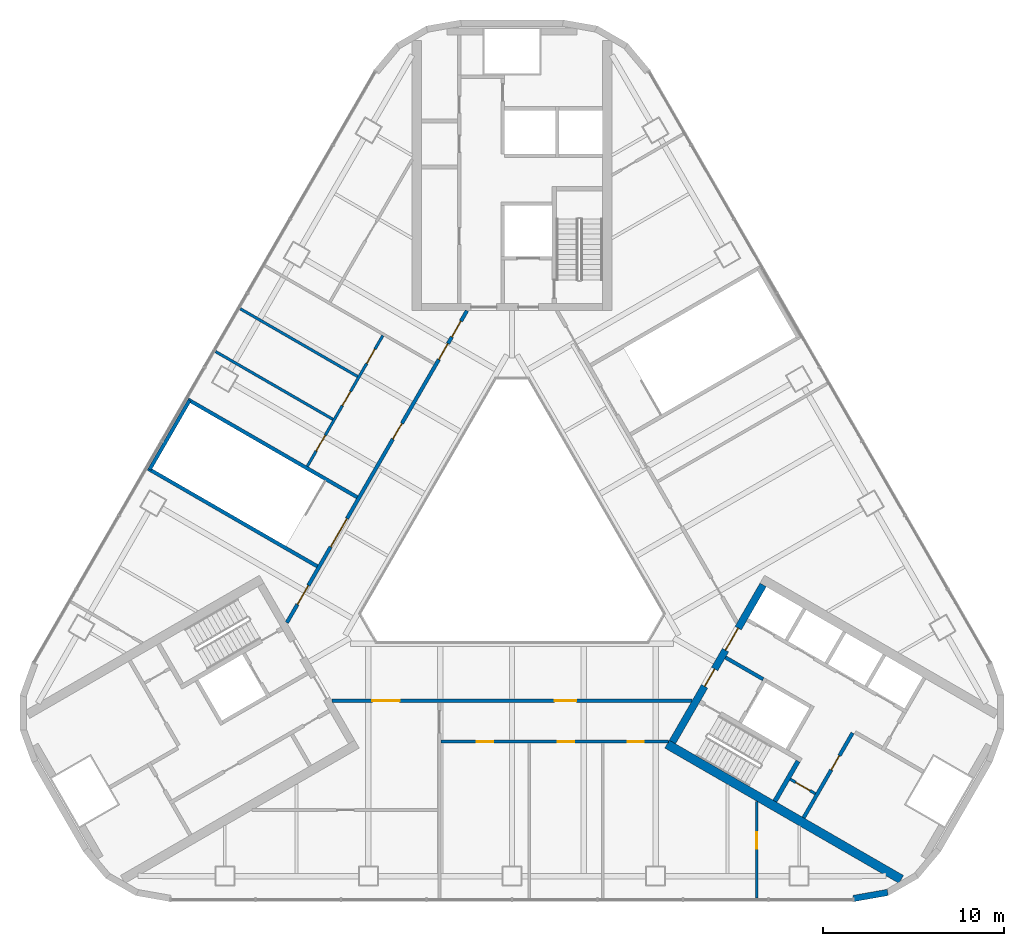
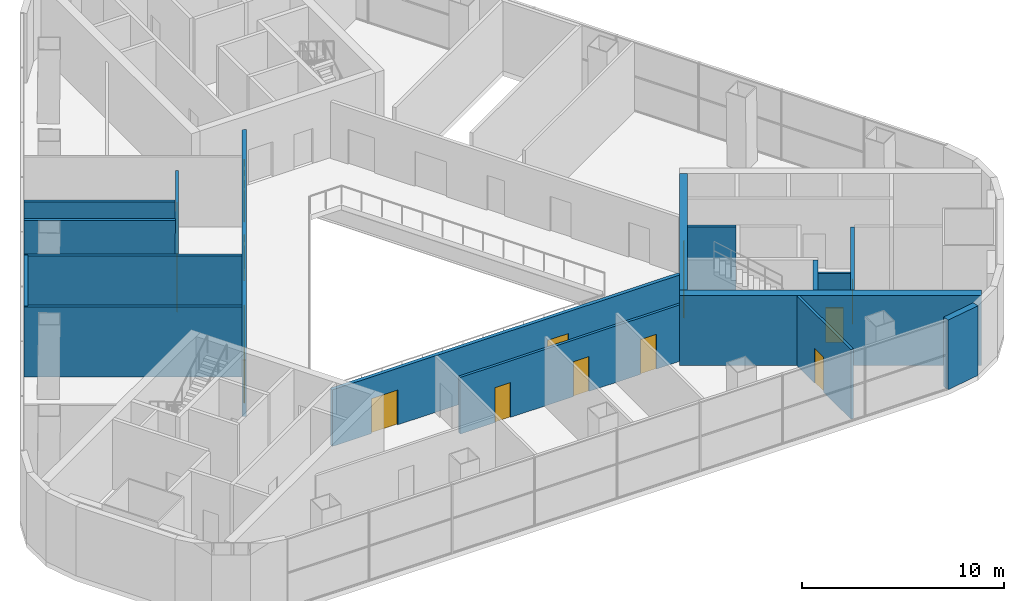
# One storey, part 8 of 12: 18 doors, 17 walls, 18 openings.
"""IFC4 building model written with IfcOpenShell, lengths in metres."""

from ifc_helpers import new_model, si_unit, direction, frame, frame_2d, origin, place, context, subcontext, project, spatial, rectangle, extrude, material, layer, layer_set, type_object, element, fill, save


model = new_model("IFC4")

# Units and contexts
model_context = context("Model", 3, precision=1e-05, world=origin(), true_north=direction((0.0, 1.0)))
body_context = subcontext(model_context, "Body", "Model", "MODEL_VIEW")
ifc_project = project(units=[si_unit("LENGTHUNIT", "METRE"), si_unit("AREAUNIT", "SQUARE_METRE"), si_unit("VOLUMEUNIT", "CUBIC_METRE"), si_unit("PLANEANGLEUNIT", "RADIAN"), si_unit("MASSUNIT", "GRAM", prefix="KILO")], contexts=[model_context])

# Site, building, storey
site_placement = place(None, origin())
site = spatial("IfcSite", under=ifc_project, at=site_placement, CompositionType="ELEMENT")
building_placement = place(site_placement, origin())
building = spatial("IfcBuilding", under=site, at=building_placement, Name="Apuvela Tower Hotel", CompositionType="ELEMENT")
storey_placement = place(building_placement, frame((0.0, 0.0, 33.0)))
storey = spatial("IfcBuildingStorey", under=building, at=storey_placement, Name="L05", CompositionType="ELEMENT", Elevation=33.0)

# Wall, openings, doors
ifc_material_1 = material(Name="Concrete C50/60", Category="concrete")
ifc_layer_1 = layer(ifc_material_1, 0.39990234375)
ifc_layer_set_1 = layer_set([ifc_layer_1], Name="COR-WALL-CORE-400")
wall_type_1 = type_object("IfcWallType", Name="COR-WALL-CORE-400", PredefinedType="SHEAR", material=ifc_layer_set_1)
wall_1_placement = place(storey_placement, frame((8.844970703125, -10.880126953125, 0.0), z_axis=(0.0, 0.0, 1.0), x_axis=(0.500004234368, 0.866022959057, 0.0)))
wall_1 = element("IfcWall", 1, at=wall_1_placement, inside=storey, type_object=wall_type_1, Name="Core wall SE", PredefinedType="SHEAR", context=body_context, shape_type="SweptSolid", body=[
    extrude(rectangle(XDim=10.0, YDim=0.39990234375, at=frame_2d((5.0, 0.0))), origin(), (0.0, 0.0, 1.0), 4.199951171875),
])
opening_1_placement = place(wall_1_placement, frame((3.550048828125, 0.0, 0.0)))
opening_1 = element("IfcOpeningElement", 2, at=opening_1_placement, cuts=wall_1, Name="Opening E-FD", PredefinedType="OPENING", context=body_context, shape_type="SweptSolid", body=[
    extrude(rectangle(XDim=1.10009765625, YDim=2.10009765625, at=frame_2d((0.550048828125, 1.050048828125))), frame((0.0, 0.2099609375, 0.0), z_axis=(0.0, -1.0, 0.0), x_axis=(1.0, 0.0, 0.0)), (0.0, 0.0, 1.0), 0.419921875),
])
opening_2_placement = place(wall_1_placement, frame((5.85009765625, 0.0, 0.0)))
opening_2 = element("IfcOpeningElement", 3, at=opening_2_placement, cuts=wall_1, Name="Opening E-GD", PredefinedType="OPENING", context=body_context, shape_type="SweptSolid", body=[
    extrude(rectangle(XDim=1.39990234375, YDim=2.10009765625, at=frame_2d((0.699951171875, 1.050048828125))), frame((0.0, 0.2099609375, 0.0), z_axis=(0.0, -1.0, 0.0), x_axis=(1.0, 0.0, 0.0)), (0.0, 0.0, 1.0), 0.419921875),
])
ifc_material_2 = material(Name="Steel fire door, powder coated", Category="steel")
door_type_1 = type_object("IfcDoorType", Name="COR-FD-1100", OperationType="NOTDEFINED", PredefinedType="DOOR", material=ifc_material_2)
door_1_placement = place(opening_1_placement, frame((1.10009765625, 0.0, 0.0), z_axis=(0.0, 0.0, 1.0), x_axis=(-1.0, 0.0, 0.0)))
door_1 = element("IfcDoor", 4, at=door_1_placement, inside=storey, type_object=door_type_1, Name="Firefighting lobby door E-FD", OperationType="SINGLE_SWING_LEFT", OverallHeight=2.10009765625, OverallWidth=1.10009765625, PredefinedType="DOOR", context=body_context, shape_type="SweptSolid", body=[
    extrude(rectangle(XDim=1.10009765625, YDim=2.10009765625, at=frame_2d((0.550048828125, 1.050048828125))), frame((0.0, 0.02490234375, 0.0), z_axis=(0.0, -1.0, 0.0), x_axis=(1.0, 0.0, 0.0)), (0.0, 0.0, 1.0), 0.050048828125),
])
fill(opening_1, door_1)
ifc_material_3 = material(Name="Glazed steel fire door", Category="steel")
door_type_2 = type_object("IfcDoorType", Name="COR-GD-1400", OperationType="DOUBLE_DOOR_SINGLE_SWING", PredefinedType="DOOR", material=ifc_material_3)
door_2_placement = place(opening_2_placement, frame((1.39990234375, 0.0, 0.0), z_axis=(0.0, 0.0, 1.0), x_axis=(-1.0, 0.0, 0.0)))
door_2 = element("IfcDoor", 5, at=door_2_placement, inside=storey, type_object=door_type_2, Name="Lift lobby door E-GD", OperationType="DOUBLE_DOOR_SINGLE_SWING", OverallHeight=2.10009765625, OverallWidth=1.39990234375, PredefinedType="DOOR", context=body_context, shape_type="SweptSolid", body=[
    extrude(rectangle(XDim=1.39990234375, YDim=2.10009765625, at=frame_2d((0.699951171875, 1.050048828125))), frame((0.0, 0.02490234375, 0.0), z_axis=(0.0, -1.0, 0.0), x_axis=(1.0, 0.0, 0.0)), (0.0, 0.0, 1.0), 0.050048828125),
])
fill(opening_2, door_2)

# Wall
ifc_layer_2 = layer(ifc_material_1, 0.5)
ifc_layer_set_2 = layer_set([ifc_layer_2], Name="COR-WALL-CORE-500")
wall_type_2 = type_object("IfcWallType", Name="COR-WALL-CORE-500", PredefinedType="SHEAR", material=ifc_layer_set_2)
wall_2_placement = place(storey_placement, frame((8.546630859375, -10.99658203125, 0.0), z_axis=(0.0, 0.0, 1.0), x_axis=(0.866025798973, -0.499999315512, 0.0)))
element("IfcWall", 6, at=wall_2_placement, inside=storey, type_object=wall_type_2, Name="Core wall SE", PredefinedType="SHEAR", context=body_context, shape_type="SweptSolid", body=[
    extrude(rectangle(XDim=14.91015625, YDim=0.5, at=frame_2d((7.455078125, 0.0))), origin(), (0.0, 0.0, 1.0), 4.199951171875),
])

# Wall, opening, door
ifc_material_4 = material(Name="Blockwork 150 mm plastered", Category="masonry")
ifc_layer_3 = layer(ifc_material_4, 0.14990234375)
ifc_layer_set_3 = layer_set([ifc_layer_3], Name="COR-WALL-PART-150")
wall_type_3 = type_object("IfcWallType", Name="COR-WALL-PART-150", PredefinedType="PARTITIONING", material=ifc_layer_set_3)
wall_3_placement = place(storey_placement, frame((15.341552734375, -12.927734375, 0.0), z_axis=(0.0, 0.0, 1.0), x_axis=(0.865989903783, -0.500061482766, 0.0)))
wall_3 = element("IfcWall", 7, at=wall_3_placement, inside=storey, type_object=wall_type_3, Name="Partition SE", PredefinedType="PARTITIONING", context=body_context, shape_type="SweptSolid", body=[
    extrude(rectangle(XDim=1.599853515625, YDim=0.14990234375, at=frame_2d((0.7998046875, 0.0))), origin(), (0.0, 0.0, 1.0), 4.199951171875),
])
opening_3_placement = place(wall_3_placement, frame((0.35009765625, 0.0, 0.0)))
opening_3 = element("IfcOpeningElement", 8, at=opening_3_placement, cuts=wall_3, Name="Opening E-RD", PredefinedType="OPENING", context=body_context, shape_type="SweptSolid", body=[
    extrude(rectangle(XDim=0.89990234375, YDim=2.10009765625, at=frame_2d((0.449951171875, 1.050048828125))), frame((0.0, 0.0849609375, 0.0), z_axis=(0.0, -1.0, 0.0), x_axis=(1.0, 0.0, 0.0)), (0.0, 0.0, 1.0), 0.169921875),
])
ifc_material_5 = material(Name="Steel access door, powder coated", Category="steel")
door_type_3 = type_object("IfcDoorType", Name="COR-RD-900", OperationType="NOTDEFINED", PredefinedType="DOOR", material=ifc_material_5)
door_3_placement = place(opening_3_placement, frame((0.89990234375, 0.0, 0.0), z_axis=(0.0, 0.0, 1.0), x_axis=(-1.0, 0.0, 0.0)))
door_3 = element("IfcDoor", 9, at=door_3_placement, inside=storey, type_object=door_type_3, Name="Riser door E-RD", OperationType="SINGLE_SWING_LEFT", OverallHeight=2.10009765625, OverallWidth=0.89990234375, PredefinedType="DOOR", context=body_context, shape_type="SweptSolid", body=[
    extrude(rectangle(XDim=0.89990234375, YDim=2.10009765625, at=frame_2d((0.449951171875, 1.050048828125))), frame((0.0, 0.02490234375, 0.0), z_axis=(0.0, -1.0, 0.0), x_axis=(1.0, 0.0, 0.0)), (0.0, 0.0, 1.0), 0.050048828125),
])
fill(opening_3, door_3)

ifc_material_6 = material(Name="Blockwork 200 mm plastered", Category="masonry")
ifc_layer_4 = layer(ifc_material_6, 0.199951171875)
ifc_layer_set_4 = layer_set([ifc_layer_4], Name="COR-WALL-PART-200")
wall_type_4 = type_object("IfcWallType", Name="COR-WALL-PART-200", PredefinedType="PARTITIONING", material=ifc_layer_set_4)
wall_4_placement = place(storey_placement, frame((16.076171875, -15.05517578125, 0.0), z_axis=(0.0, 0.0, 1.0), x_axis=(0.499995103361, 0.866028230842, 0.0)))
wall_4 = element("IfcWall", 10, at=wall_4_placement, inside=storey, type_object=wall_type_4, Name="Partition SE", PredefinedType="PARTITIONING", context=body_context, shape_type="SweptSolid", body=[
    extrude(rectangle(XDim=5.39990234375, YDim=0.199951171875, at=frame_2d((2.699951171875, 0.0))), origin(), (0.0, 0.0, 1.0), 4.199951171875),
])
opening_4_placement = place(wall_4_placement, frame((3.050048828125, 0.0, 0.0)))
opening_4 = element("IfcOpeningElement", 11, at=opening_4_placement, cuts=wall_4, Name="Opening E-RS1", PredefinedType="OPENING", context=body_context, shape_type="SweptSolid", body=[
    extrude(rectangle(XDim=0.89990234375, YDim=2.10009765625, at=frame_2d((0.449951171875, 1.050048828125))), frame((0.0, 0.10986328125, 0.0), z_axis=(0.0, -1.0, 0.0), x_axis=(1.0, 0.0, 0.0)), (0.0, 0.0, 1.0), 0.219970703125),
])
door_type_4 = type_object("IfcDoorType", Name="COR-DR-900", OperationType="NOTDEFINED", PredefinedType="DOOR", material=ifc_material_2)
door_4_placement = place(opening_4_placement, frame((0.89990234375, 0.0, 0.0), z_axis=(0.0, 0.0, 1.0), x_axis=(-1.0, 0.0, 0.0)))
door_4 = element("IfcDoor", 12, at=door_4_placement, inside=storey, type_object=door_type_4, Name="Store door E-RS1", OperationType="SINGLE_SWING_LEFT", OverallHeight=2.10009765625, OverallWidth=0.89990234375, PredefinedType="DOOR", context=body_context, shape_type="SweptSolid", body=[
    extrude(rectangle(XDim=0.89990234375, YDim=2.10009765625, at=frame_2d((0.449951171875, 1.050048828125))), frame((0.0, 0.02490234375, 0.0), z_axis=(0.0, -1.0, 0.0), x_axis=(1.0, 0.0, 0.0)), (0.0, 0.0, 1.0), 0.050048828125),
])
fill(opening_4, door_4)

# Walls
ifc_layer_5 = layer(ifc_material_1, 0.199951171875)
ifc_layer_set_5 = layer_set([ifc_layer_5], Name="COR-WALL-SHAFT-200")
wall_type_5 = type_object("IfcWallType", Name="COR-WALL-SHAFT-200", PredefinedType="SHEAR", material=ifc_layer_set_5)
wall_5_placement = place(storey_placement, frame((11.76806640625, -6.217041015625, 0.0), z_axis=(0.0, 0.0, 1.0), x_axis=(0.866050077142, -0.499957262057, 0.0)))
element("IfcWall", 13, at=wall_5_placement, inside=storey, type_object=wall_type_5, Name="Shaft wall SE", PredefinedType="SHEAR", context=body_context, shape_type="SweptSolid", body=[
    extrude(rectangle(XDim=2.400146484375, YDim=0.199951171875, at=frame_2d((1.2001953125, 0.0))), origin(), (0.0, 0.0, 1.0), 4.199951171875),
])
ifc_layer_6 = layer(ifc_material_1, 0.25)
ifc_layer_set_6 = layer_set([ifc_layer_6], Name="COR-WALL-STAIR-250")
wall_type_6 = type_object("IfcWallType", Name="COR-WALL-STAIR-250", PredefinedType="SHEAR", material=ifc_layer_set_6)
wall_6_placement = place(storey_placement, frame((14.49560546875, -14.142578125, 0.0), z_axis=(0.0, 0.0, 1.0), x_axis=(0.500062241894, 0.865989465428, 0.0)))
element("IfcWall", 14, at=wall_6_placement, inside=storey, type_object=wall_type_6, Name="Stair wall SE", PredefinedType="SHEAR", context=body_context, shape_type="SweptSolid", body=[
    extrude(rectangle(XDim=2.550048828125, YDim=0.25, at=frame_2d((1.27490234375, 0.0))), origin(), (0.0, 0.0, 1.0), 4.199951171875),
])
ifc_material_7 = material(Name="Concrete C40/50, dark pigmented precast panel", Category="concrete")
ifc_layer_7 = layer(ifc_material_7, 0.35009765625)
ifc_layer_set_7 = layer_set([ifc_layer_7], Name="ENV-WALL-350")
wall_type_7 = type_object("IfcWallType", Name="ENV-WALL-350", PredefinedType="SOLIDWALL", material=ifc_layer_set_7)
wall_7_placement = place(storey_placement, frame((18.82958984375, -19.503662109375, 0.0), z_axis=(0.0, 0.0, 1.0), x_axis=(0.984824611058, 0.173552543785, 0.0)))
element("IfcWall", 15, at=wall_7_placement, inside=storey, type_object=wall_type_7, Name="External wall L05-16", PredefinedType="SOLIDWALL", context=body_context, shape_type="SweptSolid", body=[
    extrude(rectangle(XDim=1.91455078125, YDim=0.35009765625, at=frame_2d((0.957275390625, 0.0))), origin(), (0.0, 0.0, 1.0), 4.199951171875),
])

# Wall, openings, doors
ifc_material_8 = material(Name="Fire-rated gypsum board partition on steel stud", Category="steel")
ifc_layer_8 = layer(ifc_material_8, 0.199951171875)
ifc_layer_set_8 = layer_set([ifc_layer_8], Name="SPC-WALL-CORRIDOR")
wall_type_8 = type_object("IfcWallType", Name="SPC-WALL-CORRIDOR", PredefinedType="PARTITIONING", material=ifc_layer_set_8)
wall_8_placement = place(storey_placement, frame((-9.930419921875, -8.60009765625, 0.0), z_axis=(0.0, 0.0, 1.0), x_axis=(1.0, 0.0, 0.0)))
wall_8 = element("IfcWall", 16, at=wall_8_placement, inside=storey, type_object=wall_type_8, Name="Wall L05-S-CW", PredefinedType="PARTITIONING", context=body_context, shape_type="SweptSolid", body=[
    extrude(rectangle(XDim=19.86083984375, YDim=0.199951171875, at=frame_2d((9.930419921875, 0.0))), origin(), (0.0, 0.0, 1.0), 3.409912109375),
])
opening_5_placement = place(wall_8_placement, frame((2.233642578125, 0.0, 0.0)))
opening_5 = element("IfcOpeningElement", 17, at=opening_5_placement, cuts=wall_8, Name="Opening L05-S08", PredefinedType="OPENING", context=body_context, shape_type="SweptSolid", body=[
    extrude(rectangle(XDim=1.5, YDim=2.10009765625, at=frame_2d((0.75, 1.050048828125))), frame((0.0, 0.10986328125, 0.0), z_axis=(0.0, -1.0, 0.0), x_axis=(1.0, 0.0, 0.0)), (0.0, 0.0, 1.0), 0.219970703125),
])
opening_6_placement = place(wall_8_placement, frame((12.277587890625, 0.0, 0.0)))
opening_6 = element("IfcOpeningElement", 18, at=opening_6_placement, cuts=wall_8, Name="Opening L05-S10", PredefinedType="OPENING", context=body_context, shape_type="SweptSolid", body=[
    extrude(rectangle(XDim=1.199951171875, YDim=2.10009765625, at=frame_2d((0.60009765625, 1.050048828125))), frame((0.0, 0.10986328125, 0.0), z_axis=(0.0, -1.0, 0.0), x_axis=(1.0, 0.0, 0.0)), (0.0, 0.0, 1.0), 0.219970703125),
])
ifc_material_9 = material(Name="Fire-rated hardwood veneer door leaf", Category="wood")
door_type_5 = type_object("IfcDoorType", Name="SPC-DOOR-1200-FD", OperationType="NOTDEFINED", PredefinedType="DOOR", material=ifc_material_9)
door_5_placement = place(opening_6_placement, frame((1.199951171875, 0.0, 0.0), z_axis=(0.0, 0.0, 1.0), x_axis=(-1.0, 0.0, 0.0)))
door_5 = element("IfcDoor", 19, at=door_5_placement, inside=storey, type_object=door_type_5, Name="L05-S10", OperationType="SINGLE_SWING_LEFT", OverallHeight=2.10009765625, OverallWidth=1.199951171875, PredefinedType="DOOR", context=body_context, shape_type="SweptSolid", body=[
    extrude(rectangle(XDim=1.199951171875, YDim=2.10009765625, at=frame_2d((0.60009765625, 1.050048828125))), frame((0.0, 0.02490234375, 0.0), z_axis=(0.0, -1.0, 0.0), x_axis=(1.0, 0.0, 0.0)), (0.0, 0.0, 1.0), 0.050048828125),
])
fill(opening_6, door_5)
door_type_6 = type_object("IfcDoorType", Name="SPC-DOOR-1500-FD", OperationType="NOTDEFINED", PredefinedType="DOOR", material=ifc_material_9)
door_6_placement = place(opening_5_placement, frame((1.5, 0.0, 0.0), z_axis=(0.0, 0.0, 1.0), x_axis=(-1.0, 0.0, 0.0)))
door_6 = element("IfcDoor", 20, at=door_6_placement, inside=storey, type_object=door_type_6, Name="L05-S08", OperationType="DOUBLE_DOOR_SINGLE_SWING", OverallHeight=2.10009765625, OverallWidth=1.5, PredefinedType="DOOR", context=body_context, shape_type="SweptSolid", body=[
    extrude(rectangle(XDim=1.5, YDim=2.10009765625, at=frame_2d((0.75, 1.050048828125))), frame((0.0, 0.02490234375, 0.0), z_axis=(0.0, -1.0, 0.0), x_axis=(1.0, 0.0, 0.0)), (0.0, 0.0, 1.0), 0.050048828125),
])
fill(opening_5, door_6)

wall_9_placement = place(storey_placement, frame((-2.482421875, 12.900146484375, 0.0), z_axis=(0.0, 0.0, 1.0), x_axis=(-0.50000478328, -0.866022642139, 0.0)))
wall_9 = element("IfcWall", 21, at=wall_9_placement, inside=storey, type_object=wall_type_8, Name="Wall L05-NW-CW", PredefinedType="PARTITIONING", context=body_context, shape_type="SweptSolid", body=[
    extrude(rectangle(XDim=19.861083984375, YDim=0.199951171875, at=frame_2d((9.9306640625, 0.0))), origin(), (0.0, 0.0, 1.0), 3.409912109375),
])
opening_7_placement = place(wall_9_placement, frame((13.23046875, 0.0, 0.0)))
opening_7 = element("IfcOpeningElement", 22, at=opening_7_placement, cuts=wall_9, Name="Opening L05-S07", PredefinedType="OPENING", context=body_context, shape_type="SweptSolid", body=[
    extrude(rectangle(XDim=1.800048828125, YDim=2.10009765625, at=frame_2d((0.89990234375, 1.050048828125))), frame((0.0, 0.10986328125, 0.0), z_axis=(0.0, -1.0, 0.0), x_axis=(1.0, 0.0, 0.0)), (0.0, 0.0, 1.0), 0.219970703125),
])
opening_8_placement = place(wall_9_placement, frame((0.666748046875, 0.0, 0.0)))
opening_8 = element("IfcOpeningElement", 23, at=opening_8_placement, cuts=wall_9, Name="Opening L05-S16", PredefinedType="OPENING", context=body_context, shape_type="SweptSolid", body=[
    extrude(rectangle(XDim=1.0, YDim=2.10009765625, at=frame_2d((0.5, 1.050048828125))), frame((0.0, 0.10986328125, 0.0), z_axis=(0.0, -1.0, 0.0), x_axis=(1.0, 0.0, 0.0)), (0.0, 0.0, 1.0), 0.219970703125),
])
opening_9_placement = place(wall_9_placement, frame((2.100341796875, 0.0, 0.0)))
opening_9 = element("IfcOpeningElement", 24, at=opening_9_placement, cuts=wall_9, Name="Opening L05-S17", PredefinedType="OPENING", context=body_context, shape_type="SweptSolid", body=[
    extrude(rectangle(XDim=1.0, YDim=2.10009765625, at=frame_2d((0.5, 1.050048828125))), frame((0.0, 0.10986328125, 0.0), z_axis=(0.0, -1.0, 0.0), x_axis=(1.0, 0.0, 0.0)), (0.0, 0.0, 1.0), 0.219970703125),
])
opening_10_placement = place(wall_9_placement, frame((17.489990234375, 0.0, 0.0)))
opening_10 = element("IfcOpeningElement", 25, at=opening_10_placement, cuts=wall_9, Name="Opening L05-S19", PredefinedType="OPENING", context=body_context, shape_type="SweptSolid", body=[
    extrude(rectangle(XDim=1.199951171875, YDim=2.10009765625, at=frame_2d((0.60009765625, 1.050048828125))), frame((0.0, 0.10986328125, 0.0), z_axis=(0.0, -1.0, 0.0), x_axis=(1.0, 0.0, 0.0)), (0.0, 0.0, 1.0), 0.219970703125),
])
opening_11_placement = place(wall_9_placement, frame((7.16796875, 0.0, 0.0)))
opening_11 = element("IfcOpeningElement", 26, at=opening_11_placement, cuts=wall_9, Name="Opening L05-S22", PredefinedType="OPENING", context=body_context, shape_type="SweptSolid", body=[
    extrude(rectangle(XDim=1.0, YDim=2.10009765625, at=frame_2d((0.5, 1.050048828125))), frame((0.0, 0.10986328125, 0.0), z_axis=(0.0, -1.0, 0.0), x_axis=(1.0, 0.0, 0.0)), (0.0, 0.0, 1.0), 0.219970703125),
])
door_type_7 = type_object("IfcDoorType", Name="SPC-DOOR-1000-FD", OperationType="NOTDEFINED", PredefinedType="DOOR", material=ifc_material_9)
door_7_placement = place(opening_8_placement, frame((1.0, 0.0, 0.0), z_axis=(0.0, 0.0, 1.0), x_axis=(-1.0, 0.0, 0.0)))
door_7 = element("IfcDoor", 27, at=door_7_placement, inside=storey, type_object=door_type_7, Name="L05-S16", OperationType="SINGLE_SWING_LEFT", OverallHeight=2.10009765625, OverallWidth=1.0, PredefinedType="DOOR", context=body_context, shape_type="SweptSolid", body=[
    extrude(rectangle(XDim=1.0, YDim=2.10009765625, at=frame_2d((0.5, 1.050048828125))), frame((0.0, 0.02490234375, 0.0), z_axis=(0.0, -1.0, 0.0), x_axis=(1.0, 0.0, 0.0)), (0.0, 0.0, 1.0), 0.050048828125),
])
fill(opening_8, door_7)
door_8_placement = place(opening_9_placement, frame((1.0, 0.0, 0.0), z_axis=(0.0, 0.0, 1.0), x_axis=(-1.0, 0.0, 0.0)))
door_8 = element("IfcDoor", 28, at=door_8_placement, inside=storey, type_object=door_type_7, Name="L05-S17", OperationType="SINGLE_SWING_RIGHT", OverallHeight=2.10009765625, OverallWidth=1.0, PredefinedType="DOOR", context=body_context, shape_type="SweptSolid", body=[
    extrude(rectangle(XDim=1.0, YDim=2.10009765625, at=frame_2d((0.5, 1.050048828125))), frame((0.0, 0.02490234375, 0.0), z_axis=(0.0, -1.0, 0.0), x_axis=(1.0, 0.0, 0.0)), (0.0, 0.0, 1.0), 0.050048828125),
])
fill(opening_9, door_8)
door_9_placement = place(opening_11_placement, frame((1.0, 0.0, 0.0), z_axis=(0.0, 0.0, 1.0), x_axis=(-1.0, 0.0, 0.0)))
door_9 = element("IfcDoor", 29, at=door_9_placement, inside=storey, type_object=door_type_7, Name="L05-S22", OperationType="SINGLE_SWING_LEFT", OverallHeight=2.10009765625, OverallWidth=1.0, PredefinedType="DOOR", context=body_context, shape_type="SweptSolid", body=[
    extrude(rectangle(XDim=1.0, YDim=2.10009765625, at=frame_2d((0.5, 1.050048828125))), frame((0.0, 0.02490234375, 0.0), z_axis=(0.0, -1.0, 0.0), x_axis=(1.0, 0.0, 0.0)), (0.0, 0.0, 1.0), 0.050048828125),
])
fill(opening_11, door_9)
door_10_placement = place(opening_10_placement, origin())
door_10 = element("IfcDoor", 30, at=door_10_placement, inside=storey, type_object=door_type_5, Name="L05-S19", OperationType="SINGLE_SWING_LEFT", OverallHeight=2.10009765625, OverallWidth=1.199951171875, PredefinedType="DOOR", context=body_context, shape_type="SweptSolid", body=[
    extrude(rectangle(XDim=1.199951171875, YDim=2.10009765625, at=frame_2d((0.60009765625, 1.050048828125))), frame((0.0, 0.02490234375, 0.0), z_axis=(0.0, -1.0, 0.0), x_axis=(1.0, 0.0, 0.0)), (0.0, 0.0, 1.0), 0.050048828125),
])
fill(opening_10, door_10)
ifc_material_10 = material(Name="Steel fire door leaf", Category="steel")
door_type_8 = type_object("IfcDoorType", Name="SPC-DOOR-1800-STAIR", OperationType="NOTDEFINED", PredefinedType="DOOR", material=ifc_material_10)
door_11_placement = place(opening_7_placement, frame((1.800048828125, 0.0, 0.0), z_axis=(0.0, 0.0, 1.0), x_axis=(-1.0, 0.0, 0.0)))
door_11 = element("IfcDoor", 31, at=door_11_placement, inside=storey, type_object=door_type_8, Name="L05-S07", OperationType="DOUBLE_DOOR_SINGLE_SWING", OverallHeight=2.10009765625, OverallWidth=1.800048828125, PredefinedType="DOOR", context=body_context, shape_type="SweptSolid", body=[
    extrude(rectangle(XDim=1.800048828125, YDim=2.10009765625, at=frame_2d((0.89990234375, 1.050048828125))), frame((0.0, 0.02490234375, 0.0), z_axis=(0.0, -1.0, 0.0), x_axis=(1.0, 0.0, 0.0)), (0.0, 0.0, 1.0), 0.050048828125),
])
fill(opening_7, door_11)

ifc_material_11 = material(Name="Gypsum board partition on steel stud", Category="steel")
ifc_layer_9 = layer(ifc_material_11, 0.14990234375)
ifc_layer_set_9 = layer_set([ifc_layer_9], Name="SPC-WALL-PARTITION")
wall_type_9 = type_object("IfcWallType", Name="SPC-WALL-PARTITION", PredefinedType="PARTITIONING", material=ifc_layer_set_9)
wall_10_placement = place(storey_placement, frame((-3.925048828125, -10.855224609375, 0.0), z_axis=(0.0, 0.0, 1.0), x_axis=(1.0, 0.0, 0.0)))
wall_10 = element("IfcWall", 32, at=wall_10_placement, inside=storey, type_object=wall_type_9, Name="Wall L05-S-P02", PredefinedType="PARTITIONING", context=body_context, shape_type="SweptSolid", body=[
    extrude(rectangle(XDim=12.553466796875, YDim=0.14990234375, at=frame_2d((6.27685546875, 0.0))), origin(), (0.0, 0.0, 1.0), 3.409912109375),
])
opening_12_placement = place(wall_10_placement, frame((1.98291015625, 0.0, 0.0)))
opening_12 = element("IfcOpeningElement", 33, at=opening_12_placement, cuts=wall_10, Name="Opening L05-S11", PredefinedType="OPENING", context=body_context, shape_type="SweptSolid", body=[
    extrude(rectangle(XDim=0.89990234375, YDim=2.10009765625, at=frame_2d((0.449951171875, 1.050048828125))), frame((0.0, 0.0849609375, 0.0), z_axis=(0.0, -1.0, 0.0), x_axis=(1.0, 0.0, 0.0)), (0.0, 0.0, 1.0), 0.169921875),
])
opening_13_placement = place(wall_10_placement, frame((6.449951171875, 0.0, 0.0)))
opening_13 = element("IfcOpeningElement", 34, at=opening_13_placement, cuts=wall_10, Name="Opening L05-S12", PredefinedType="OPENING", context=body_context, shape_type="SweptSolid", body=[
    extrude(rectangle(XDim=0.89990234375, YDim=2.10009765625, at=frame_2d((0.449951171875, 1.050048828125))), frame((0.0, 0.0849609375, 0.0), z_axis=(0.0, -1.0, 0.0), x_axis=(1.0, 0.0, 0.0)), (0.0, 0.0, 1.0), 0.169921875),
])
opening_14_placement = place(wall_10_placement, frame((10.293701171875, 0.0, 0.0)))
opening_14 = element("IfcOpeningElement", 35, at=opening_14_placement, cuts=wall_10, Name="Opening L05-S13", PredefinedType="OPENING", context=body_context, shape_type="SweptSolid", body=[
    extrude(rectangle(XDim=0.89990234375, YDim=2.10009765625, at=frame_2d((0.449951171875, 1.050048828125))), frame((0.0, 0.0849609375, 0.0), z_axis=(0.0, -1.0, 0.0), x_axis=(1.0, 0.0, 0.0)), (0.0, 0.0, 1.0), 0.169921875),
])
ifc_material_12 = material(Name="Hardwood veneer door leaf", Category="wood")
door_type_9 = type_object("IfcDoorType", Name="SPC-DOOR-900", OperationType="NOTDEFINED", PredefinedType="DOOR", material=ifc_material_12)
door_12_placement = place(opening_12_placement, frame((0.89990234375, 0.0, 0.0), z_axis=(0.0, 0.0, 1.0), x_axis=(-1.0, 0.0, 0.0)))
door_12 = element("IfcDoor", 36, at=door_12_placement, inside=storey, type_object=door_type_9, Name="L05-S11", OperationType="SINGLE_SWING_RIGHT", OverallHeight=2.10009765625, OverallWidth=0.89990234375, PredefinedType="DOOR", context=body_context, shape_type="SweptSolid", body=[
    extrude(rectangle(XDim=0.89990234375, YDim=2.10009765625, at=frame_2d((0.449951171875, 1.050048828125))), frame((0.0, 0.02490234375, 0.0), z_axis=(0.0, -1.0, 0.0), x_axis=(1.0, 0.0, 0.0)), (0.0, 0.0, 1.0), 0.050048828125),
])
fill(opening_12, door_12)
door_13_placement = place(opening_13_placement, frame((0.89990234375, 0.0, 0.0), z_axis=(0.0, 0.0, 1.0), x_axis=(-1.0, 0.0, 0.0)))
door_13 = element("IfcDoor", 37, at=door_13_placement, inside=storey, type_object=door_type_9, Name="L05-S12", OperationType="SINGLE_SWING_LEFT", OverallHeight=2.10009765625, OverallWidth=0.89990234375, PredefinedType="DOOR", context=body_context, shape_type="SweptSolid", body=[
    extrude(rectangle(XDim=0.89990234375, YDim=2.10009765625, at=frame_2d((0.449951171875, 1.050048828125))), frame((0.0, 0.02490234375, 0.0), z_axis=(0.0, -1.0, 0.0), x_axis=(1.0, 0.0, 0.0)), (0.0, 0.0, 1.0), 0.050048828125),
])
fill(opening_13, door_13)
door_14_placement = place(opening_14_placement, origin())
door_14 = element("IfcDoor", 38, at=door_14_placement, inside=storey, type_object=door_type_9, Name="L05-S13", OperationType="SINGLE_SWING_LEFT", OverallHeight=2.10009765625, OverallWidth=0.89990234375, PredefinedType="DOOR", context=body_context, shape_type="SweptSolid", body=[
    extrude(rectangle(XDim=0.89990234375, YDim=2.10009765625, at=frame_2d((0.449951171875, 1.050048828125))), frame((0.0, 0.02490234375, 0.0), z_axis=(0.0, -1.0, 0.0), x_axis=(1.0, 0.0, 0.0)), (0.0, 0.0, 1.0), 0.050048828125),
])
fill(opening_14, door_14)

# Wall, opening, door
wall_11_placement = place(storey_placement, frame((13.5, -19.47607421875, 0.0), z_axis=(0.0, 0.0, 1.0), x_axis=(0.0, 1.0, 0.0)))
wall_11 = element("IfcWall", 39, at=wall_11_placement, inside=storey, type_object=wall_type_9, Name="Wall L05-S-P06", PredefinedType="PARTITIONING", context=body_context, shape_type="SweptSolid", body=[
    extrude(rectangle(XDim=5.3310546875, YDim=0.14990234375, at=frame_2d((2.66552734375, 0.0))), origin(), (0.0, 0.0, 1.0), 4.199951171875),
])
opening_15_placement = place(wall_11_placement, frame((2.715576171875, 0.0, 0.0)))
opening_15 = element("IfcOpeningElement", 40, at=opening_15_placement, cuts=wall_11, Name="Opening L05-S14", PredefinedType="OPENING", context=body_context, shape_type="SweptSolid", body=[
    extrude(rectangle(XDim=0.89990234375, YDim=2.10009765625, at=frame_2d((0.449951171875, 1.050048828125))), frame((0.0, 0.0849609375, 0.0), z_axis=(0.0, -1.0, 0.0), x_axis=(1.0, 0.0, 0.0)), (0.0, 0.0, 1.0), 0.169921875),
])
door_15_placement = place(opening_15_placement, frame((0.89990234375, 0.0, 0.0), z_axis=(0.0, 0.0, 1.0), x_axis=(-1.0, 0.0, 0.0)))
door_15 = element("IfcDoor", 41, at=door_15_placement, inside=storey, type_object=door_type_9, Name="L05-S14", OperationType="SINGLE_SWING_RIGHT", OverallHeight=2.10009765625, OverallWidth=0.89990234375, PredefinedType="DOOR", context=body_context, shape_type="SweptSolid", body=[
    extrude(rectangle(XDim=0.89990234375, YDim=2.10009765625, at=frame_2d((0.449951171875, 1.050048828125))), frame((0.0, 0.02490234375, 0.0), z_axis=(0.0, -1.0, 0.0), x_axis=(1.0, 0.0, 0.0)), (0.0, 0.0, 1.0), 0.050048828125),
])
fill(opening_15, door_15)

# Wall, openings, doors
wall_12_placement = place(storey_placement, frame((-7.12158203125, 11.530517578125, 0.0), z_axis=(0.0, 0.0, 1.0), x_axis=(-0.500018619731, -0.866014653411, 0.0)))
wall_12 = element("IfcWall", 42, at=wall_12_placement, inside=storey, type_object=wall_type_9, Name="Wall L05-NW-P02", PredefinedType="PARTITIONING", context=body_context, shape_type="SweptSolid", body=[
    extrude(rectangle(XDim=8.324951171875, YDim=0.14990234375, at=frame_2d((4.16259765625, 0.0))), origin(), (0.0, 0.0, 1.0), 3.409912109375),
])
opening_16_placement = place(wall_12_placement, frame((6.3544921875, 0.0, 0.0)))
opening_16 = element("IfcOpeningElement", 43, at=opening_16_placement, cuts=wall_12, Name="Opening L05-S21", PredefinedType="OPENING", context=body_context, shape_type="SweptSolid", body=[
    extrude(rectangle(XDim=1.0, YDim=2.10009765625, at=frame_2d((0.5, 1.050048828125))), frame((0.0, 0.0849609375, 0.0), z_axis=(0.0, -1.0, 0.0), x_axis=(1.0, 0.0, 0.0)), (0.0, 0.0, 1.0), 0.169921875),
])
opening_17_placement = place(wall_12_placement, frame((3.5625, 0.0, 0.0)))
opening_17 = element("IfcOpeningElement", 44, at=opening_17_placement, cuts=wall_12, Name="Opening L05-S23", PredefinedType="OPENING", context=body_context, shape_type="SweptSolid", body=[
    extrude(rectangle(XDim=0.89990234375, YDim=2.10009765625, at=frame_2d((0.449951171875, 1.050048828125))), frame((0.0, 0.0849609375, 0.0), z_axis=(0.0, -1.0, 0.0), x_axis=(1.0, 0.0, 0.0)), (0.0, 0.0, 1.0), 0.169921875),
])
opening_18_placement = place(wall_12_placement, frame((0.87060546875, 0.0, 0.0)))
opening_18 = element("IfcOpeningElement", 45, at=opening_18_placement, cuts=wall_12, Name="Opening L05-S24", PredefinedType="OPENING", context=body_context, shape_type="SweptSolid", body=[
    extrude(rectangle(XDim=0.89990234375, YDim=2.10009765625, at=frame_2d((0.449951171875, 1.050048828125))), frame((0.0, 0.0849609375, 0.0), z_axis=(0.0, -1.0, 0.0), x_axis=(1.0, 0.0, 0.0)), (0.0, 0.0, 1.0), 0.169921875),
])
door_type_10 = type_object("IfcDoorType", Name="SPC-DOOR-1000", OperationType="NOTDEFINED", PredefinedType="DOOR", material=ifc_material_12)
door_16_placement = place(opening_16_placement, frame((1.0, 0.0, 0.0), z_axis=(0.0, 0.0, 1.0), x_axis=(-1.0, 0.0, 0.0)))
door_16 = element("IfcDoor", 46, at=door_16_placement, inside=storey, type_object=door_type_10, Name="L05-S21", OperationType="SINGLE_SWING_RIGHT", OverallHeight=2.10009765625, OverallWidth=1.0, PredefinedType="DOOR", context=body_context, shape_type="SweptSolid", body=[
    extrude(rectangle(XDim=1.0, YDim=2.10009765625, at=frame_2d((0.5, 1.050048828125))), frame((0.0, 0.02490234375, 0.0), z_axis=(0.0, -1.0, 0.0), x_axis=(1.0, 0.0, 0.0)), (0.0, 0.0, 1.0), 0.050048828125),
])
fill(opening_16, door_16)
door_17_placement = place(opening_17_placement, frame((0.89990234375, 0.0, 0.0), z_axis=(0.0, 0.0, 1.0), x_axis=(-1.0, 0.0, 0.0)))
door_17 = element("IfcDoor", 47, at=door_17_placement, inside=storey, type_object=door_type_9, Name="L05-S23", OperationType="SINGLE_SWING_RIGHT", OverallHeight=2.10009765625, OverallWidth=0.89990234375, PredefinedType="DOOR", context=body_context, shape_type="SweptSolid", body=[
    extrude(rectangle(XDim=0.89990234375, YDim=2.10009765625, at=frame_2d((0.449951171875, 1.050048828125))), frame((0.0, 0.02490234375, 0.0), z_axis=(0.0, -1.0, 0.0), x_axis=(1.0, 0.0, 0.0)), (0.0, 0.0, 1.0), 0.050048828125),
])
fill(opening_17, door_17)
door_18_placement = place(opening_18_placement, frame((0.89990234375, 0.0, 0.0), z_axis=(0.0, 0.0, 1.0), x_axis=(-1.0, 0.0, 0.0)))
door_18 = element("IfcDoor", 48, at=door_18_placement, inside=storey, type_object=door_type_9, Name="L05-S24", OperationType="SINGLE_SWING_LEFT", OverallHeight=2.10009765625, OverallWidth=0.89990234375, PredefinedType="DOOR", context=body_context, shape_type="SweptSolid", body=[
    extrude(rectangle(XDim=0.89990234375, YDim=2.10009765625, at=frame_2d((0.449951171875, 1.050048828125))), frame((0.0, 0.02490234375, 0.0), z_axis=(0.0, -1.0, 0.0), x_axis=(1.0, 0.0, 0.0)), (0.0, 0.0, 1.0), 0.050048828125),
])
fill(opening_18, door_18)

# Walls
wall_13_placement = place(storey_placement, frame((-14.979248046875, 13.00732421875, 0.0), z_axis=(0.0, 0.0, 1.0), x_axis=(0.866019543016, -0.500010151011, 0.0)))
element("IfcWall", 49, at=wall_13_placement, inside=storey, type_object=wall_type_9, Name="Wall L05-NW-P04", PredefinedType="PARTITIONING", context=body_context, shape_type="SweptSolid", body=[
    extrude(rectangle(XDim=7.468017578125, YDim=0.14990234375, at=frame_2d((3.73388671875, 0.0))), origin(), (0.0, 0.0, 1.0), 3.409912109375),
])
wall_14_placement = place(storey_placement, frame((-16.341796875, 10.6474609375, 0.0), z_axis=(0.0, 0.0, 1.0), x_axis=(0.866013560478, -0.500020512648, 0.0)))
element("IfcWall", 50, at=wall_14_placement, inside=storey, type_object=wall_type_9, Name="Wall L05-NW-P05", PredefinedType="PARTITIONING", context=body_context, shape_type="SweptSolid", body=[
    extrude(rectangle(XDim=7.468505859375, YDim=0.14990234375, at=frame_2d((3.734375, 0.0))), origin(), (0.0, 0.0, 1.0), 4.199951171875),
])
ifc_material_13 = material(Name="Concrete C40/50", Category="concrete")
ifc_layer_10 = layer(ifc_material_13, 0.199951171875)
ifc_layer_set_10 = layer_set([ifc_layer_10], Name="SPC-WALL-STAIR")
wall_type_10 = type_object("IfcWallType", Name="SPC-WALL-STAIR", PredefinedType="SOLIDWALL", material=ifc_layer_set_10)
wall_15_placement = place(storey_placement, frame((-17.86669921875, 8.006103515625, 0.0), z_axis=(0.0, 0.0, 1.0), x_axis=(0.866017693218, -0.500013354855, 0.0)))
element("IfcWall", 51, at=wall_15_placement, inside=storey, type_object=wall_type_10, Name="Wall L05-NW-P06", PredefinedType="SOLIDWALL", context=body_context, shape_type="SweptSolid", body=[
    extrude(rectangle(XDim=10.776123046875, YDim=0.199951171875, at=frame_2d((5.38818359375, 0.0))), origin(), (0.0, 0.0, 1.0), 4.199951171875),
])
wall_16_placement = place(storey_placement, frame((-20.06689453125, 4.195556640625, 0.0), z_axis=(0.0, 0.0, 1.0), x_axis=(0.866023357302, -0.500003544594, 0.0)))
element("IfcWall", 52, at=wall_16_placement, inside=storey, type_object=wall_type_10, Name="Wall L05-NW-P07", PredefinedType="SOLIDWALL", context=body_context, shape_type="SweptSolid", body=[
    extrude(rectangle(XDim=10.7763671875, YDim=0.199951171875, at=frame_2d((5.38818359375, 0.0))), origin(), (0.0, 0.0, 1.0), 4.199951171875),
])
wall_17_placement = place(storey_placement, frame((-17.7802734375, 7.9560546875, 0.0), z_axis=(0.0, 0.0, 1.0), x_axis=(-0.499988222896, -0.866032203192, 0.0)))
element("IfcWall", 53, at=wall_17_placement, inside=storey, type_object=wall_type_10, Name="Wall L05-NW-FWX", PredefinedType="SOLIDWALL", context=body_context, shape_type="SweptSolid", body=[
    extrude(rectangle(XDim=4.39990234375, YDim=0.199951171875, at=frame_2d((2.199951171875, 0.0))), origin(), (0.0, 0.0, 1.0), 4.199951171875),
])

save(model, "model.ifc")
